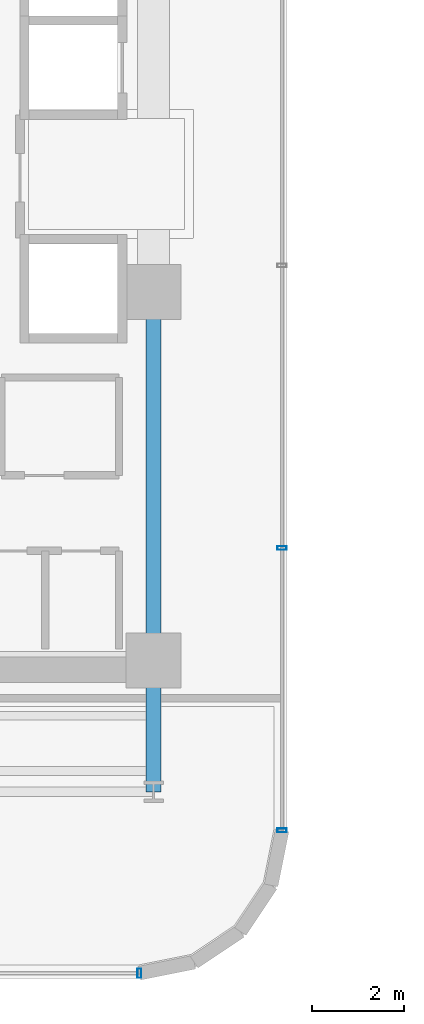
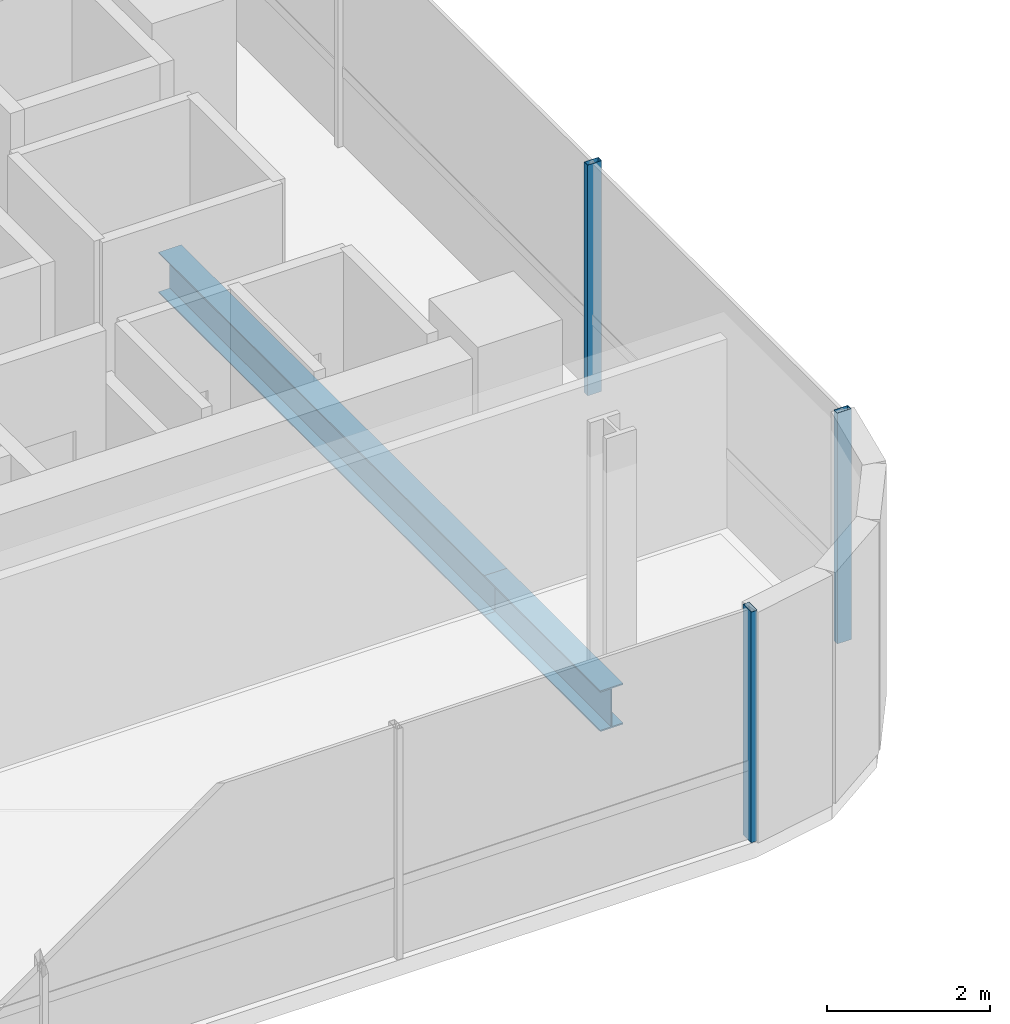
# One storey, part 5 of 34: 3 members, 2 beams, 2 elements without a shape of their own.
"""IFC4 building model written with IfcOpenShell, lengths in metres."""

from ifc_helpers import new_model, si_unit, direction, frame, origin, origin_2d, place, context, subcontext, project, spatial, hollow_rectangle, i_section, extrude, source, transform, mapped, material, material_profile, profile_set, type_object, element, aggregate, save


model = new_model("IFC4")

# Units and contexts
model_context = context("Model", 3, precision=1e-05, world=origin(), true_north=direction((0.0, 1.0)))
body_context = subcontext(model_context, "Body", "Model", "MODEL_VIEW")
ifc_project = project(units=[si_unit("LENGTHUNIT", "METRE"), si_unit("AREAUNIT", "SQUARE_METRE"), si_unit("VOLUMEUNIT", "CUBIC_METRE"), si_unit("PLANEANGLEUNIT", "RADIAN"), si_unit("MASSUNIT", "GRAM", prefix="KILO")], contexts=[model_context])

# Site, building, storey
site_placement = place(None, origin())
site = spatial("IfcSite", under=ifc_project, at=site_placement, CompositionType="ELEMENT")
building_placement = place(site_placement, origin())
building = spatial("IfcBuilding", under=site, at=building_placement, Name="Valdorenza Pilgrim Sanctuary Tower", CompositionType="ELEMENT")
storey_placement = place(building_placement, frame((0.0, 0.0, 161.199951171875)))
storey = spatial("IfcBuildingStorey", under=building, at=storey_placement, Name="L41", CompositionType="ELEMENT", Elevation=161.199951171875)

# Beams
ifc_material_1 = material(Name="Steel ASTM A992 Grade 50", Category="steel")
ifc_material_profile_1 = material_profile(ifc_material_1, i_section(OverallWidth=0.323974609375, OverallDepth=0.611083984375, WebThickness=0.0126953125, FlangeThickness=0.01904296875, at=origin_2d()), Name="W24X104")
ifc_profile_set_1 = profile_set([ifc_material_profile_1], Name="Steel ASTM A992 Grade 50")
beam_type = type_object("IfcBeamType", Name="STR-BM-GRD-W24B", PredefinedType="BEAM", material=ifc_profile_set_1)
shared_shape_1 = source(origin(), body_context, "Body", "SweptSolid", [
    extrude(i_section(OverallWidth=0.323974609375, OverallDepth=0.611083984375, WebThickness=0.0126953125, FlangeThickness=0.01904296875, at=origin_2d()), origin(), (0.0, 0.0, 1.0), 8.0),
])
beam_1_placement = place(storey_placement, frame((-12.39990234375, -10.60009765625, -0.54541015625), z_axis=(0.0, 1.0, 0.0), x_axis=(-1.0, 0.0, 0.0)))
element("IfcBeam", 1, at=beam_1_placement, inside=storey, type_object=beam_type, Name="L41 Core Tie Girder CA-E-S1M0", PredefinedType="BEAM", context=body_context, shape_type="MappedRepresentation", body=[
    mapped(shared_shape_1, transform((0.0, 0.0, 0.0), x_axis=(1.0, 0.0, 0.0), y_axis=(0.0, 1.0, 0.0), z_axis=(0.0, 0.0, 1.0), scale=1.0)),
])
shared_shape_2 = source(origin(), body_context, "Body", "SweptSolid", [
    extrude(i_section(OverallWidth=0.323974609375, OverallDepth=0.611083984375, WebThickness=0.0126953125, FlangeThickness=0.01904296875, at=origin_2d()), origin(), (0.0, 0.0, 1.0), 2.849853515625),
])
beam_2_placement = place(storey_placement, frame((-12.39990234375, -13.449951171875, -0.54541015625), z_axis=(0.0, 1.0, 0.0), x_axis=(-1.0, 0.0, 0.0)))
element("IfcBeam", 2, at=beam_2_placement, inside=storey, type_object=beam_type, Name="L41 Floor Girder WA-S-LE", PredefinedType="BEAM", context=body_context, shape_type="MappedRepresentation", body=[
    mapped(shared_shape_2, transform((0.0, 0.0, 0.0), x_axis=(1.0, 0.0, 0.0), y_axis=(0.0, 1.0, 0.0), z_axis=(0.0, 0.0, 1.0), scale=1.0)),
])

# Curtain wall, members
ifc_material_2 = material(Name="Curtain-wall IGU glazing", Category="glass")
curtain_wall_type = type_object("IfcCurtainWallType", Name="CW-SYS-02", PredefinedType="NOTDEFINED", material=ifc_material_2)
curtain_wall_1_placement = place(storey_placement, origin())
curtain_wall_1 = element("IfcCurtainWall", 3, at=curtain_wall_1_placement, inside=storey, type_object=curtain_wall_type, Name="L41 Curtain Wall CW-L41-1-21", PredefinedType="NOTDEFINED")
ifc_material_3 = material(Name="Anodised aluminium AW-6060", Category="aluminium")
ifc_material_profile_2 = material_profile(ifc_material_3, hollow_rectangle(XDim=0.0849609375, YDim=0.199951171875, WallThickness=0.0048828125, at=origin_2d()), Name="ALU-M 200x85x5")
ifc_profile_set_2 = profile_set([ifc_material_profile_2], Name="Anodised aluminium AW-6060")
member_type = type_object("IfcMemberType", Name="CW-MUL-02", PredefinedType="MULLION", material=ifc_profile_set_2)
shared_shape_3 = source(origin(), body_context, "Body", "SweptSolid", [
    extrude(hollow_rectangle(XDim=0.0849609375, YDim=0.199951171875, WallThickness=0.0048828125, at=origin_2d()), origin(), (0.0, 0.0, 1.0), 3.4599609375),
])
member_1_placement = place(storey_placement, frame((-9.610107421875, -8.156005859375, 0.0), z_axis=(0.0, 0.0, 1.0), x_axis=(0.0, -1.0, 0.0)))
member_1 = element("IfcMember", 4, at=member_1_placement, type_object=member_type, Name="CW-L41-1-21 Mullion 3", PredefinedType="MULLION", context=body_context, shape_type="MappedRepresentation", body=[
    mapped(shared_shape_3, transform((0.0, 0.0, 0.0), x_axis=(1.0, 0.0, 0.0), y_axis=(0.0, 1.0, 0.0), z_axis=(0.0, 0.0, 1.0), scale=1.0)),
])
member_2_placement = place(storey_placement, frame((-9.610107421875, -14.289306640625, 0.0), z_axis=(0.0, 0.0, 1.0), x_axis=(0.0, -1.0, 0.0)))
member_2 = element("IfcMember", 5, at=member_2_placement, type_object=member_type, Name="CW-L41-1-21 Mullion 4", PredefinedType="MULLION", context=body_context, shape_type="MappedRepresentation", body=[
    mapped(shared_shape_3, transform((0.0, 0.0, 0.0), x_axis=(1.0, 0.0, 0.0), y_axis=(0.0, 1.0, 0.0), z_axis=(0.0, 0.0, 1.0), scale=1.0)),
])
aggregate(curtain_wall_1, [member_1, member_2])

# Curtain wall, member
curtain_wall_2_placement = place(storey_placement, origin())
curtain_wall_2 = element("IfcCurtainWall", 6, at=curtain_wall_2_placement, inside=storey, type_object=curtain_wall_type, Name="L41 Curtain Wall CW-L41-1-26", PredefinedType="NOTDEFINED")
member_3_placement = place(storey_placement, frame((-12.710693359375, -17.389892578125, 0.0), z_axis=(0.0, 0.0, 1.0), x_axis=(-1.0, 0.0, 0.0)))
member_3 = element("IfcMember", 7, at=member_3_placement, type_object=member_type, Name="CW-L41-1-26 Mullion 1", PredefinedType="MULLION", context=body_context, shape_type="MappedRepresentation", body=[
    mapped(shared_shape_3, transform((0.0, 0.0, 0.0), x_axis=(1.0, 0.0, 0.0), y_axis=(0.0, 1.0, 0.0), z_axis=(0.0, 0.0, 1.0), scale=1.0)),
])
aggregate(curtain_wall_2, [member_3])

save(model, "model.ifc")
